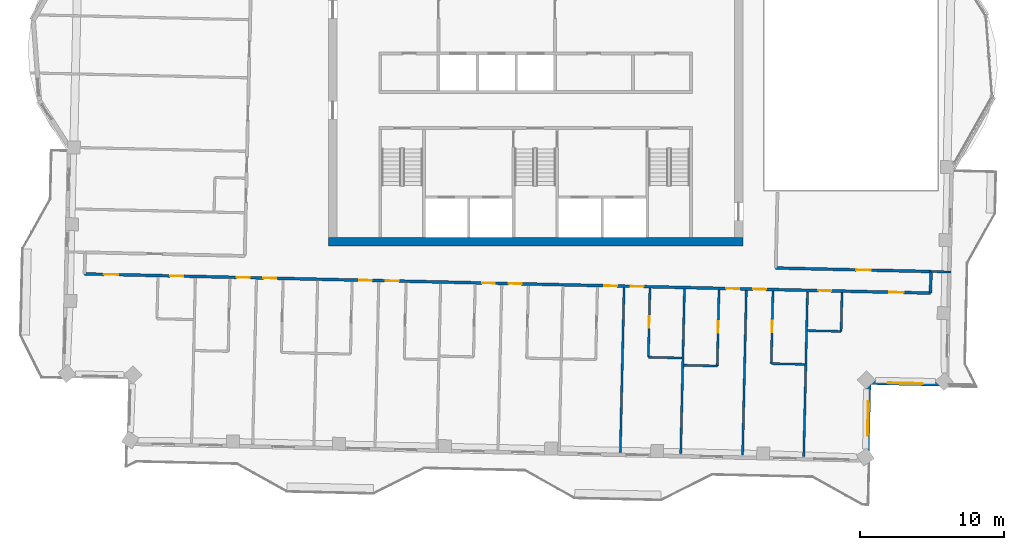
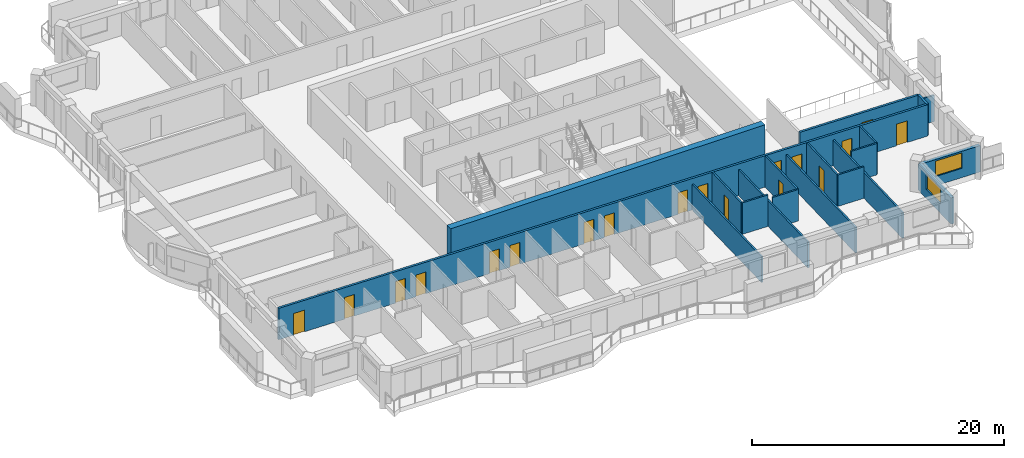
# One storey, part 6 of 15: 19 walls, 18 doors, 2 windows, 20 openings.
"""IFC4 building model written with IfcOpenShell, lengths in metres."""

from ifc_helpers import new_model, si_unit, direction, frame, frame_2d, origin, place, context, subcontext, project, spatial, rectangle, extrude, material, layer, layer_set, type_object, element, fill, save


model = new_model("IFC4")

# Units and contexts
model_context = context("Model", 3, precision=1e-05, world=origin(), true_north=direction((0.0, 1.0)))
body_context = subcontext(model_context, "Body", "Model", "MODEL_VIEW")
ifc_project = project(units=[si_unit("LENGTHUNIT", "METRE"), si_unit("AREAUNIT", "SQUARE_METRE"), si_unit("VOLUMEUNIT", "CUBIC_METRE"), si_unit("PLANEANGLEUNIT", "RADIAN"), si_unit("MASSUNIT", "GRAM", prefix="KILO")], contexts=[model_context])

# Site, building, storey
site_placement = place(None, origin())
site = spatial("IfcSite", under=ifc_project, at=site_placement, CompositionType="ELEMENT")
building_placement = place(site_placement, origin())
building = spatial("IfcBuilding", under=site, at=building_placement, Name="Mangrove Gate Tower", CompositionType="ELEMENT")
storey_placement = place(building_placement, frame((0.0, 0.0, 306.10009765625)))
storey = spatial("IfcBuildingStorey", under=building, at=storey_placement, Name="L78", CompositionType="ELEMENT", Elevation=306.10009765625)

# Wall
ifc_material_1 = material(Name="Concrete C50/60", Category="concrete")
ifc_layer_1 = layer(ifc_material_1, 0.60009765625)
ifc_layer_set_1 = layer_set([ifc_layer_1], Name="Core wall 600 C50/60")
wall_type_1 = type_object("IfcWallType", Name="Core wall 600 C50/60", PredefinedType="SHEAR", material=ifc_layer_set_1)
wall_1_placement = place(storey_placement, frame((-14.39990234375, -11.10009765625, 0.0), z_axis=(0.0, 0.0, 1.0), x_axis=(1.0, 0.0, 0.0)))
element("IfcWall", 1, at=wall_1_placement, inside=storey, type_object=wall_type_1, Name="WALL-L78-CORE-1", PredefinedType="SHEAR", context=body_context, shape_type="SweptSolid", body=[
    extrude(rectangle(XDim=28.7998046875, YDim=0.60009765625, at=frame_2d((14.39990234375, 0.0))), origin(), (0.0, 0.0, 1.0), 3.599853515625),
])

# Wall, openings, doors
ifc_material_2 = material(Name="Gypsum board on steel stud, EI 60", Category="steel")
ifc_layer_2 = layer(ifc_material_2, 0.199951171875)
ifc_layer_set_2 = layer_set([ifc_layer_2], Name="Corridor wall EI 60")
wall_type_2 = type_object("IfcWallType", Name="Corridor wall EI 60", PredefinedType="PARTITIONING", material=ifc_layer_set_2)
wall_2_placement = place(storey_placement, frame((-31.346923828125, -13.3291015625, 0.0), z_axis=(0.0, 0.0, 1.0), x_axis=(0.999742613079, -0.022687168058, 0.0)))
wall_2 = element("IfcWall", 2, at=wall_2_placement, inside=storey, type_object=wall_type_2, Name="WALL-L78-034", PredefinedType="PARTITIONING", context=body_context, shape_type="SweptSolid", body=[
    extrude(rectangle(XDim=58.799072265625, YDim=0.199951171875, at=frame_2d((29.3994140625, 0.0))), origin(), (0.0, 0.0, 1.0), 3.0498046875),
])
opening_1_placement = place(wall_2_placement, frame((1.35009765625, 0.0, 0.0)))
opening_1 = element("IfcOpeningElement", 3, at=opening_1_placement, cuts=wall_2, Name="Opening AD", PredefinedType="OPENING", context=body_context, shape_type="SweptSolid", body=[
    extrude(rectangle(XDim=1.0, YDim=2.10009765625, at=frame_2d((0.5, 1.050048828125))), frame((0.0, 0.10986328125, 0.0), z_axis=(0.0, -1.0, 0.0), x_axis=(1.0, 0.0, 0.0)), (0.0, 0.0, 1.0), 0.219970703125),
])
opening_2_placement = place(wall_2_placement, frame((5.949951171875, 0.0, 0.0)))
opening_2 = element("IfcOpeningElement", 4, at=opening_2_placement, cuts=wall_2, Name="Opening SD", PredefinedType="OPENING", context=body_context, shape_type="SweptSolid", body=[
    extrude(rectangle(XDim=0.89990234375, YDim=2.10009765625, at=frame_2d((0.449951171875, 1.050048828125))), frame((0.0, 0.10986328125, 0.0), z_axis=(0.0, -1.0, 0.0), x_axis=(1.0, 0.0, 0.0)), (0.0, 0.0, 1.0), 0.219970703125),
])
opening_3_placement = place(wall_2_placement, frame((10.574951171875, 0.0, 0.0)))
opening_3 = element("IfcOpeningElement", 5, at=opening_3_placement, cuts=wall_2, Name="Opening BD", PredefinedType="OPENING", context=body_context, shape_type="SweptSolid", body=[
    extrude(rectangle(XDim=0.89990234375, YDim=2.10009765625, at=frame_2d((0.449951171875, 1.050048828125))), frame((0.0, 0.10986328125, 0.0), z_axis=(0.0, -1.0, 0.0), x_axis=(1.0, 0.0, 0.0)), (0.0, 0.0, 1.0), 0.219970703125),
])
opening_4_placement = place(wall_2_placement, frame((12.425048828125, 0.0, 0.0)))
opening_4 = element("IfcOpeningElement", 6, at=opening_4_placement, cuts=wall_2, Name="Opening BD", PredefinedType="OPENING", context=body_context, shape_type="SweptSolid", body=[
    extrude(rectangle(XDim=0.89990234375, YDim=2.10009765625, at=frame_2d((0.449951171875, 1.050048828125))), frame((0.0, 0.10986328125, 0.0), z_axis=(0.0, -1.0, 0.0), x_axis=(1.0, 0.0, 0.0)), (0.0, 0.0, 1.0), 0.219970703125),
])
opening_5_placement = place(wall_2_placement, frame((19.074951171875, 0.0, 0.0)))
opening_5 = element("IfcOpeningElement", 7, at=opening_5_placement, cuts=wall_2, Name="Opening BD", PredefinedType="OPENING", context=body_context, shape_type="SweptSolid", body=[
    extrude(rectangle(XDim=0.89990234375, YDim=2.10009765625, at=frame_2d((0.449951171875, 1.050048828125))), frame((0.0, 0.10986328125, 0.0), z_axis=(0.0, -1.0, 0.0), x_axis=(1.0, 0.0, 0.0)), (0.0, 0.0, 1.0), 0.219970703125),
])
opening_6_placement = place(wall_2_placement, frame((20.949951171875, 0.0, 0.0)))
opening_6 = element("IfcOpeningElement", 8, at=opening_6_placement, cuts=wall_2, Name="Opening BD", PredefinedType="OPENING", context=body_context, shape_type="SweptSolid", body=[
    extrude(rectangle(XDim=0.89990234375, YDim=2.10009765625, at=frame_2d((0.449951171875, 1.050048828125))), frame((0.0, 0.10986328125, 0.0), z_axis=(0.0, -1.0, 0.0), x_axis=(1.0, 0.0, 0.0)), (0.0, 0.0, 1.0), 0.219970703125),
])
opening_7_placement = place(wall_2_placement, frame((27.625, 0.0, 0.0)))
opening_7 = element("IfcOpeningElement", 9, at=opening_7_placement, cuts=wall_2, Name="Opening BD", PredefinedType="OPENING", context=body_context, shape_type="SweptSolid", body=[
    extrude(rectangle(XDim=0.89990234375, YDim=2.10009765625, at=frame_2d((0.449951171875, 1.050048828125))), frame((0.0, 0.10986328125, 0.0), z_axis=(0.0, -1.0, 0.0), x_axis=(1.0, 0.0, 0.0)), (0.0, 0.0, 1.0), 0.219970703125),
])
opening_8_placement = place(wall_2_placement, frame((29.47509765625, 0.0, 0.0)))
opening_8 = element("IfcOpeningElement", 10, at=opening_8_placement, cuts=wall_2, Name="Opening BD", PredefinedType="OPENING", context=body_context, shape_type="SweptSolid", body=[
    extrude(rectangle(XDim=0.89990234375, YDim=2.10009765625, at=frame_2d((0.449951171875, 1.050048828125))), frame((0.0, 0.10986328125, 0.0), z_axis=(0.0, -1.0, 0.0), x_axis=(1.0, 0.0, 0.0)), (0.0, 0.0, 1.0), 0.219970703125),
])
opening_9_placement = place(wall_2_placement, frame((36.125, 0.0, 0.0)))
opening_9 = element("IfcOpeningElement", 11, at=opening_9_placement, cuts=wall_2, Name="Opening BD", PredefinedType="OPENING", context=body_context, shape_type="SweptSolid", body=[
    extrude(rectangle(XDim=0.89990234375, YDim=2.10009765625, at=frame_2d((0.449951171875, 1.050048828125))), frame((0.0, 0.10986328125, 0.0), z_axis=(0.0, -1.0, 0.0), x_axis=(1.0, 0.0, 0.0)), (0.0, 0.0, 1.0), 0.219970703125),
])
opening_10_placement = place(wall_2_placement, frame((37.949951171875, 0.0, 0.0)))
opening_10 = element("IfcOpeningElement", 12, at=opening_10_placement, cuts=wall_2, Name="Opening BD", PredefinedType="OPENING", context=body_context, shape_type="SweptSolid", body=[
    extrude(rectangle(XDim=0.89990234375, YDim=2.10009765625, at=frame_2d((0.449951171875, 1.050048828125))), frame((0.0, 0.10986328125, 0.0), z_axis=(0.0, -1.0, 0.0), x_axis=(1.0, 0.0, 0.0)), (0.0, 0.0, 1.0), 0.219970703125),
])
opening_11_placement = place(wall_2_placement, frame((44.60009765625, 0.0, 0.0)))
opening_11 = element("IfcOpeningElement", 13, at=opening_11_placement, cuts=wall_2, Name="Opening BD", PredefinedType="OPENING", context=body_context, shape_type="SweptSolid", body=[
    extrude(rectangle(XDim=0.89990234375, YDim=2.10009765625, at=frame_2d((0.449951171875, 1.050048828125))), frame((0.0, 0.10986328125, 0.0), z_axis=(0.0, -1.0, 0.0), x_axis=(1.0, 0.0, 0.0)), (0.0, 0.0, 1.0), 0.219970703125),
])
opening_12_placement = place(wall_2_placement, frame((46.47509765625, 0.0, 0.0)))
opening_12 = element("IfcOpeningElement", 14, at=opening_12_placement, cuts=wall_2, Name="Opening BD", PredefinedType="OPENING", context=body_context, shape_type="SweptSolid", body=[
    extrude(rectangle(XDim=0.89990234375, YDim=2.10009765625, at=frame_2d((0.449951171875, 1.050048828125))), frame((0.0, 0.10986328125, 0.0), z_axis=(0.0, -1.0, 0.0), x_axis=(1.0, 0.0, 0.0)), (0.0, 0.0, 1.0), 0.219970703125),
])
opening_13_placement = place(wall_2_placement, frame((55.925048828125, 0.0, 0.0)))
opening_13 = element("IfcOpeningElement", 15, at=opening_13_placement, cuts=wall_2, Name="Opening AD", PredefinedType="OPENING", context=body_context, shape_type="SweptSolid", body=[
    extrude(rectangle(XDim=1.0, YDim=2.10009765625, at=frame_2d((0.5, 1.050048828125))), frame((0.0, 0.10986328125, 0.0), z_axis=(0.0, -1.0, 0.0), x_axis=(1.0, 0.0, 0.0)), (0.0, 0.0, 1.0), 0.219970703125),
])
opening_14_placement = place(wall_2_placement, frame((51.0, 0.0, 0.0)))
opening_14 = element("IfcOpeningElement", 16, at=opening_14_placement, cuts=wall_2, Name="Opening SD", PredefinedType="OPENING", context=body_context, shape_type="SweptSolid", body=[
    extrude(rectangle(XDim=0.89990234375, YDim=2.10009765625, at=frame_2d((0.449951171875, 1.050048828125))), frame((0.0, 0.10986328125, 0.0), z_axis=(0.0, -1.0, 0.0), x_axis=(1.0, 0.0, 0.0)), (0.0, 0.0, 1.0), 0.219970703125),
])
ifc_material_3 = material(Name="Timber door leaf", Category="wood")
door_type_1 = type_object("IfcDoorType", Name="Amenity door 1000", OperationType="SINGLE_SWING_LEFT", PredefinedType="DOOR", material=ifc_material_3)
door_1_placement = place(opening_1_placement, origin())
door_1 = element("IfcDoor", 17, at=door_1_placement, inside=storey, type_object=door_type_1, Name="DOOR-L78-LNG-c1a", OperationType="SINGLE_SWING_LEFT", OverallHeight=2.10009765625, OverallWidth=1.0, PredefinedType="DOOR", context=body_context, shape_type="SweptSolid", body=[
    extrude(rectangle(XDim=1.0, YDim=2.10009765625, at=frame_2d((0.5, 1.050048828125))), frame((0.0, 0.02490234375, 0.0), z_axis=(0.0, -1.0, 0.0), x_axis=(1.0, 0.0, 0.0)), (0.0, 0.0, 1.0), 0.050048828125),
])
fill(opening_1, door_1)
door_2_placement = place(opening_13_placement, origin())
door_2 = element("IfcDoor", 18, at=door_2_placement, inside=storey, type_object=door_type_1, Name="DOOR-L78-LNG-c3a", OperationType="SINGLE_SWING_RIGHT", OverallHeight=2.10009765625, OverallWidth=1.0, PredefinedType="DOOR", context=body_context, shape_type="SweptSolid", body=[
    extrude(rectangle(XDim=1.0, YDim=2.10009765625, at=frame_2d((0.5, 1.050048828125))), frame((0.0, 0.02490234375, 0.0), z_axis=(0.0, -1.0, 0.0), x_axis=(1.0, 0.0, 0.0)), (0.0, 0.0, 1.0), 0.050048828125),
])
fill(opening_13, door_2)
ifc_material_4 = material(Name="Timber door leaf", Category="wood")
door_type_2 = type_object("IfcDoorType", Name="Bedroom door 900", OperationType="SINGLE_SWING_LEFT", PredefinedType="DOOR", material=ifc_material_4)
door_3_placement = place(opening_3_placement, origin())
door_3 = element("IfcDoor", 19, at=door_3_placement, inside=storey, type_object=door_type_2, Name="DOOR-L78-BED-c101", OperationType="SINGLE_SWING_LEFT", OverallHeight=2.10009765625, OverallWidth=0.89990234375, PredefinedType="DOOR", context=body_context, shape_type="SweptSolid", body=[
    extrude(rectangle(XDim=0.89990234375, YDim=2.10009765625, at=frame_2d((0.449951171875, 1.050048828125))), frame((0.0, 0.02490234375, 0.0), z_axis=(0.0, -1.0, 0.0), x_axis=(1.0, 0.0, 0.0)), (0.0, 0.0, 1.0), 0.050048828125),
])
fill(opening_3, door_3)
door_4_placement = place(opening_4_placement, origin())
door_4 = element("IfcDoor", 20, at=door_4_placement, inside=storey, type_object=door_type_2, Name="DOOR-L78-BED-c102", OperationType="SINGLE_SWING_RIGHT", OverallHeight=2.10009765625, OverallWidth=0.89990234375, PredefinedType="DOOR", context=body_context, shape_type="SweptSolid", body=[
    extrude(rectangle(XDim=0.89990234375, YDim=2.10009765625, at=frame_2d((0.449951171875, 1.050048828125))), frame((0.0, 0.02490234375, 0.0), z_axis=(0.0, -1.0, 0.0), x_axis=(1.0, 0.0, 0.0)), (0.0, 0.0, 1.0), 0.050048828125),
])
fill(opening_4, door_4)
door_5_placement = place(opening_5_placement, origin())
door_5 = element("IfcDoor", 21, at=door_5_placement, inside=storey, type_object=door_type_2, Name="DOOR-L78-BED-c103", OperationType="SINGLE_SWING_LEFT", OverallHeight=2.10009765625, OverallWidth=0.89990234375, PredefinedType="DOOR", context=body_context, shape_type="SweptSolid", body=[
    extrude(rectangle(XDim=0.89990234375, YDim=2.10009765625, at=frame_2d((0.449951171875, 1.050048828125))), frame((0.0, 0.02490234375, 0.0), z_axis=(0.0, -1.0, 0.0), x_axis=(1.0, 0.0, 0.0)), (0.0, 0.0, 1.0), 0.050048828125),
])
fill(opening_5, door_5)
door_6_placement = place(opening_6_placement, origin())
door_6 = element("IfcDoor", 22, at=door_6_placement, inside=storey, type_object=door_type_2, Name="DOOR-L78-BED-c104", OperationType="SINGLE_SWING_RIGHT", OverallHeight=2.10009765625, OverallWidth=0.89990234375, PredefinedType="DOOR", context=body_context, shape_type="SweptSolid", body=[
    extrude(rectangle(XDim=0.89990234375, YDim=2.10009765625, at=frame_2d((0.449951171875, 1.050048828125))), frame((0.0, 0.02490234375, 0.0), z_axis=(0.0, -1.0, 0.0), x_axis=(1.0, 0.0, 0.0)), (0.0, 0.0, 1.0), 0.050048828125),
])
fill(opening_6, door_6)
door_7_placement = place(opening_7_placement, origin())
door_7 = element("IfcDoor", 23, at=door_7_placement, inside=storey, type_object=door_type_2, Name="DOOR-L78-BED-c205", OperationType="SINGLE_SWING_LEFT", OverallHeight=2.10009765625, OverallWidth=0.89990234375, PredefinedType="DOOR", context=body_context, shape_type="SweptSolid", body=[
    extrude(rectangle(XDim=0.89990234375, YDim=2.10009765625, at=frame_2d((0.449951171875, 1.050048828125))), frame((0.0, 0.02490234375, 0.0), z_axis=(0.0, -1.0, 0.0), x_axis=(1.0, 0.0, 0.0)), (0.0, 0.0, 1.0), 0.050048828125),
])
fill(opening_7, door_7)
door_8_placement = place(opening_8_placement, origin())
door_8 = element("IfcDoor", 24, at=door_8_placement, inside=storey, type_object=door_type_2, Name="DOOR-L78-BED-c206", OperationType="SINGLE_SWING_RIGHT", OverallHeight=2.10009765625, OverallWidth=0.89990234375, PredefinedType="DOOR", context=body_context, shape_type="SweptSolid", body=[
    extrude(rectangle(XDim=0.89990234375, YDim=2.10009765625, at=frame_2d((0.449951171875, 1.050048828125))), frame((0.0, 0.02490234375, 0.0), z_axis=(0.0, -1.0, 0.0), x_axis=(1.0, 0.0, 0.0)), (0.0, 0.0, 1.0), 0.050048828125),
])
fill(opening_8, door_8)
door_9_placement = place(opening_9_placement, origin())
door_9 = element("IfcDoor", 25, at=door_9_placement, inside=storey, type_object=door_type_2, Name="DOOR-L78-BED-c207", OperationType="SINGLE_SWING_LEFT", OverallHeight=2.10009765625, OverallWidth=0.89990234375, PredefinedType="DOOR", context=body_context, shape_type="SweptSolid", body=[
    extrude(rectangle(XDim=0.89990234375, YDim=2.10009765625, at=frame_2d((0.449951171875, 1.050048828125))), frame((0.0, 0.02490234375, 0.0), z_axis=(0.0, -1.0, 0.0), x_axis=(1.0, 0.0, 0.0)), (0.0, 0.0, 1.0), 0.050048828125),
])
fill(opening_9, door_9)
door_10_placement = place(opening_10_placement, origin())
door_10 = element("IfcDoor", 26, at=door_10_placement, inside=storey, type_object=door_type_2, Name="DOOR-L78-BED-c208", OperationType="SINGLE_SWING_RIGHT", OverallHeight=2.10009765625, OverallWidth=0.89990234375, PredefinedType="DOOR", context=body_context, shape_type="SweptSolid", body=[
    extrude(rectangle(XDim=0.89990234375, YDim=2.10009765625, at=frame_2d((0.449951171875, 1.050048828125))), frame((0.0, 0.02490234375, 0.0), z_axis=(0.0, -1.0, 0.0), x_axis=(1.0, 0.0, 0.0)), (0.0, 0.0, 1.0), 0.050048828125),
])
fill(opening_10, door_10)
door_11_placement = place(opening_11_placement, origin())
door_11 = element("IfcDoor", 27, at=door_11_placement, inside=storey, type_object=door_type_2, Name="DOOR-L78-BED-c309", OperationType="SINGLE_SWING_LEFT", OverallHeight=2.10009765625, OverallWidth=0.89990234375, PredefinedType="DOOR", context=body_context, shape_type="SweptSolid", body=[
    extrude(rectangle(XDim=0.89990234375, YDim=2.10009765625, at=frame_2d((0.449951171875, 1.050048828125))), frame((0.0, 0.02490234375, 0.0), z_axis=(0.0, -1.0, 0.0), x_axis=(1.0, 0.0, 0.0)), (0.0, 0.0, 1.0), 0.050048828125),
])
fill(opening_11, door_11)
door_12_placement = place(opening_12_placement, origin())
door_12 = element("IfcDoor", 28, at=door_12_placement, inside=storey, type_object=door_type_2, Name="DOOR-L78-BED-c310", OperationType="SINGLE_SWING_RIGHT", OverallHeight=2.10009765625, OverallWidth=0.89990234375, PredefinedType="DOOR", context=body_context, shape_type="SweptSolid", body=[
    extrude(rectangle(XDim=0.89990234375, YDim=2.10009765625, at=frame_2d((0.449951171875, 1.050048828125))), frame((0.0, 0.02490234375, 0.0), z_axis=(0.0, -1.0, 0.0), x_axis=(1.0, 0.0, 0.0)), (0.0, 0.0, 1.0), 0.050048828125),
])
fill(opening_12, door_12)
ifc_material_5 = material(Name="Timber door leaf", Category="wood")
door_type_3 = type_object("IfcDoorType", Name="Service room door 900", OperationType="SINGLE_SWING_LEFT", PredefinedType="DOOR", material=ifc_material_5)
door_13_placement = place(opening_2_placement, origin())
door_13 = element("IfcDoor", 29, at=door_13_placement, inside=storey, type_object=door_type_3, Name="DOOR-L78-AWC-c1a", OperationType="SINGLE_SWING_LEFT", OverallHeight=2.10009765625, OverallWidth=0.89990234375, PredefinedType="DOOR", context=body_context, shape_type="SweptSolid", body=[
    extrude(rectangle(XDim=0.89990234375, YDim=2.10009765625, at=frame_2d((0.449951171875, 1.050048828125))), frame((0.0, 0.02490234375, 0.0), z_axis=(0.0, -1.0, 0.0), x_axis=(1.0, 0.0, 0.0)), (0.0, 0.0, 1.0), 0.050048828125),
])
fill(opening_2, door_13)
door_14_placement = place(opening_14_placement, origin())
door_14 = element("IfcDoor", 30, at=door_14_placement, inside=storey, type_object=door_type_3, Name="DOOR-L78-WC-c3a", OperationType="SINGLE_SWING_RIGHT", OverallHeight=2.10009765625, OverallWidth=0.89990234375, PredefinedType="DOOR", context=body_context, shape_type="SweptSolid", body=[
    extrude(rectangle(XDim=0.89990234375, YDim=2.10009765625, at=frame_2d((0.449951171875, 1.050048828125))), frame((0.0, 0.02490234375, 0.0), z_axis=(0.0, -1.0, 0.0), x_axis=(1.0, 0.0, 0.0)), (0.0, 0.0, 1.0), 0.050048828125),
])
fill(opening_14, door_14)

# Wall
wall_3_placement = place(storey_placement, frame((27.43701171875, -14.6630859375, 0.0), z_axis=(0.0, 0.0, 1.0), x_axis=(0.022617910375, 0.999744182344, 0.0)))
element("IfcWall", 31, at=wall_3_placement, inside=storey, type_object=wall_type_2, Name="WALL-L78-036", PredefinedType="PARTITIONING", context=body_context, shape_type="SweptSolid", body=[
    extrude(rectangle(XDim=1.50048828125, YDim=0.199951171875, at=frame_2d((0.750244140625, 0.0))), origin(), (0.0, 0.0, 1.0), 3.0498046875),
])

# Wall, opening, door
wall_4_placement = place(storey_placement, frame((16.678955078125, -12.91796875, 0.0), z_axis=(0.0, 0.0, 1.0), x_axis=(0.999742162372, -0.022707020428, 0.0)))
wall_4 = element("IfcWall", 32, at=wall_4_placement, inside=storey, type_object=wall_type_2, Name="WALL-L78-040", PredefinedType="PARTITIONING", context=body_context, shape_type="SweptSolid", body=[
    extrude(rectangle(XDim=10.794677734375, YDim=0.199951171875, at=frame_2d((5.3974609375, 0.0))), origin(), (0.0, 0.0, 1.0), 3.0498046875),
])
opening_15_placement = place(wall_4_placement, frame((5.597900390625, 0.0, 0.0)))
opening_15 = element("IfcOpeningElement", 33, at=opening_15_placement, cuts=wall_4, Name="Opening AD", PredefinedType="OPENING", context=body_context, shape_type="SweptSolid", body=[
    extrude(rectangle(XDim=1.0, YDim=2.10009765625, at=frame_2d((0.5, 1.050048828125))), frame((0.0, 0.10986328125, 0.0), z_axis=(0.0, -1.0, 0.0), x_axis=(1.0, 0.0, 0.0)), (0.0, 0.0, 1.0), 0.219970703125),
])
door_15_placement = place(opening_15_placement, origin())
door_15 = element("IfcDoor", 34, at=door_15_placement, inside=storey, type_object=door_type_1, Name="DOOR-L78-LNG-c3b", OperationType="SINGLE_SWING_LEFT", OverallHeight=2.10009765625, OverallWidth=1.0, PredefinedType="DOOR", context=body_context, shape_type="SweptSolid", body=[
    extrude(rectangle(XDim=1.0, YDim=2.10009765625, at=frame_2d((0.5, 1.050048828125))), frame((0.0, 0.02490234375, 0.0), z_axis=(0.0, -1.0, 0.0), x_axis=(1.0, 0.0, 0.0)), (0.0, 0.0, 1.0), 0.050048828125),
])
fill(opening_15, door_15)

# Wall, opening, window
ifc_material_6 = material(Name="Limestone", Category="masonry")
ifc_layer_3 = layer(ifc_material_6, 0.0400390625, Name="Limestone cladding")
ifc_material_7 = material(Name="Ventilated air gap")
ifc_layer_4 = layer(ifc_material_7, 0.0400390625, Name="Ventilated cavity")
ifc_material_8 = material(Name="Mineral wool insulation")
ifc_layer_5 = layer(ifc_material_8, 0.06005859375, Name="Insulation")
ifc_material_9 = material(Name="Breather membrane")
ifc_layer_6 = layer(ifc_material_9, 0.001953125, Name="Breather membrane")
ifc_material_10 = material(Name="Concrete C20/25 blockwork", Category="masonry")
ifc_layer_7 = layer(ifc_material_10, 0.14990234375, Name="Blockwork backing wall")
ifc_material_11 = material(Name="Gypsum plaster")
ifc_layer_8 = layer(ifc_material_11, 0.008056640625, Name="Internal plaster")
ifc_layer_set_3 = layer_set([ifc_layer_3, ifc_layer_4, ifc_layer_5, ifc_layer_6, ifc_layer_7, ifc_layer_8], Name="External wall 300 limestone cladding")
wall_type_3 = type_object("IfcWallType", Name="External wall 300 limestone cladding", PredefinedType="SOLIDWALL", material=ifc_layer_set_3)
wall_5_placement = place(storey_placement, frame((23.02294921875, -26.26611328125, 0.0), z_axis=(0.0, 0.0, 1.0), x_axis=(0.022784045517, 0.999740409941, 0.0)))
wall_5 = element("IfcWall", 35, at=wall_5_placement, inside=storey, type_object=wall_type_3, Name="WALL-L78-E14", PredefinedType="SOLIDWALL", context=body_context, shape_type="SweptSolid", body=[
    extrude(rectangle(XDim=5.400634765625, YDim=0.300048828125, at=frame_2d((2.7001953125, 0.0))), origin(), (0.0, 0.0, 1.0), 2.5498046875),
])
opening_16_placement = place(wall_5_placement, frame((1.68701171875, 0.0, 0.89990234375)))
opening_16 = element("IfcOpeningElement", 36, at=opening_16_placement, cuts=wall_5, Name="Opening W2", PredefinedType="OPENING", context=body_context, shape_type="SweptSolid", body=[
    extrude(rectangle(XDim=2.39990234375, YDim=1.5, at=frame_2d((1.199951171875, 0.75))), frame((0.0, 0.159912109375, 0.0), z_axis=(0.0, -1.0, 0.0), x_axis=(1.0, 0.0, 0.0)), (0.0, 0.0, 1.0), 0.320068359375),
])
ifc_material_12 = material(Name="Aluminium frame with double-glazed low-e glass", Category="aluminium")
window_type = type_object("IfcWindowType", Name="Corner room window 2400x1500", PartitioningType="DOUBLE_PANEL_VERTICAL", PredefinedType="WINDOW", material=ifc_material_12)
window_1_placement = place(opening_16_placement, origin())
window_1 = element("IfcWindow", 37, at=window_1_placement, inside=storey, type_object=window_type, Name="WIN-L78-E14-1", OverallHeight=1.5, OverallWidth=2.39990234375, PartitioningType="DOUBLE_PANEL_VERTICAL", PredefinedType="WINDOW", context=body_context, shape_type="SweptSolid", body=[
    extrude(rectangle(XDim=2.39990234375, YDim=1.5, at=frame_2d((1.199951171875, 0.75))), frame((0.0, 0.030029296875, 0.0), z_axis=(0.0, -1.0, 0.0), x_axis=(1.0, 0.0, 0.0)), (0.0, 0.0, 1.0), 0.06005859375),
])
fill(opening_16, window_1)

wall_6_placement = place(storey_placement, frame((23.14599609375, -20.866943359375, 0.0), z_axis=(0.0, 0.0, 1.0), x_axis=(0.999740292565, -0.022789195272, 0.0)))
wall_6 = element("IfcWall", 38, at=wall_6_placement, inside=storey, type_object=wall_type_3, Name="WALL-L78-S15", PredefinedType="SOLIDWALL", context=body_context, shape_type="SweptSolid", body=[
    extrude(rectangle(XDim=5.3994140625, YDim=0.300048828125, at=frame_2d((2.69970703125, 0.0))), origin(), (0.0, 0.0, 1.0), 2.5498046875),
])
opening_17_placement = place(wall_6_placement, frame((1.3369140625, 0.0, 0.89990234375)))
opening_17 = element("IfcOpeningElement", 39, at=opening_17_placement, cuts=wall_6, Name="Opening W2", PredefinedType="OPENING", context=body_context, shape_type="SweptSolid", body=[
    extrude(rectangle(XDim=2.39990234375, YDim=1.5, at=frame_2d((1.199951171875, 0.75))), frame((0.0, 0.159912109375, 0.0), z_axis=(0.0, -1.0, 0.0), x_axis=(1.0, 0.0, 0.0)), (0.0, 0.0, 1.0), 0.320068359375),
])
window_2_placement = place(opening_17_placement, origin())
window_2 = element("IfcWindow", 40, at=window_2_placement, inside=storey, type_object=window_type, Name="WIN-L78-S15-1", OverallHeight=1.5, OverallWidth=2.39990234375, PartitioningType="DOUBLE_PANEL_VERTICAL", PredefinedType="WINDOW", context=body_context, shape_type="SweptSolid", body=[
    extrude(rectangle(XDim=2.39990234375, YDim=1.5, at=frame_2d((1.199951171875, 0.75))), frame((0.0, 0.030029296875, 0.0), z_axis=(0.0, -1.0, 0.0), x_axis=(1.0, 0.0, 0.0)), (0.0, 0.0, 1.0), 0.06005859375),
])
fill(opening_17, window_2)

# Walls
ifc_material_13 = material(Name="Gypsum board on steel stud, EI 60", Category="steel")
ifc_layer_9 = layer(ifc_material_13, 0.14990234375)
ifc_layer_set_4 = layer_set([ifc_layer_9], Name="Party wall 150 EI 60")
wall_type_4 = type_object("IfcWallType", Name="Party wall 150 EI 60", PredefinedType="PARTITIONING", material=ifc_layer_set_4)
for number, where, z_axis, x_axis, name in (
    (41, (5.881103515625, -25.72705078125, 0.0), (0.0, 0.0, 1.0), (0.022708327922, 0.999742132674, 0.0), "WALL-L78-008"),
    (42, (10.080078125, -25.822021484375, 0.0), (0.0, 0.0, 1.0), (0.022708327922, 0.999742132674, 0.0), "WALL-L78-009"),
    (43, (14.37890625, -25.919921875, 0.0), (0.0, 0.0, 1.0), (0.022623082162, 0.999744065325, 0.0), "WALL-L78-010"),
    (44, (18.6279296875, -26.01611328125, 0.0), (0.0, 0.0, 1.0), (0.022623082162, 0.999744065325, 0.0), "WALL-L78-011"),
):
    element("IfcWall", number, at=place(storey_placement, frame(where, z_axis=z_axis, x_axis=x_axis)), inside=storey, type_object=wall_type_4, Name=name, PredefinedType="PARTITIONING", context=body_context, shape_type="SweptSolid", body=[
        extrude(rectangle(XDim=11.449951171875, YDim=0.14990234375, at=frame_2d((5.72509765625, 0.0))), origin(), (0.0, 0.0, 1.0), 2.5),
    ])
wall_7_placement = place(storey_placement, frame((10.2939453125, -19.675048828125, 0.0), z_axis=(0.0, 0.0, 1.0), x_axis=(0.999740478815, -0.022781023197, 0.0)))
element("IfcWall", 45, at=wall_7_placement, inside=storey, type_object=wall_type_4, Name="WALL-L78-014", PredefinedType="PARTITIONING", context=body_context, shape_type="SweptSolid", body=[
    extrude(rectangle(XDim=2.325439453125, YDim=0.14990234375, at=frame_2d((1.16259765625, 0.0))), origin(), (0.0, 0.0, 1.0), 3.0498046875),
])

# Wall, opening, door
wall_8_placement = place(storey_placement, frame((12.618896484375, -19.72802734375, 0.0), z_axis=(0.0, 0.0, 1.0), x_axis=(0.022661766832, 0.999743189186, 0.0)))
wall_8 = element("IfcWall", 46, at=wall_8_placement, inside=storey, type_object=wall_type_4, Name="WALL-L78-015", PredefinedType="PARTITIONING", context=body_context, shape_type="SweptSolid", body=[
    extrude(rectangle(XDim=5.300537109375, YDim=0.14990234375, at=frame_2d((2.650390625, 0.0))), origin(), (0.0, 0.0, 1.0), 3.0498046875),
])
opening_18_placement = place(wall_8_placement, frame((2.300048828125, 0.0, 0.0)))
opening_18 = element("IfcOpeningElement", 47, at=opening_18_placement, cuts=wall_8, Name="Opening ED", PredefinedType="OPENING", context=body_context, shape_type="SweptSolid", body=[
    extrude(rectangle(XDim=0.800048828125, YDim=2.10009765625, at=frame_2d((0.39990234375, 1.050048828125))), frame((0.0, 0.0849609375, 0.0), z_axis=(0.0, -1.0, 0.0), x_axis=(1.0, 0.0, 0.0)), (0.0, 0.0, 1.0), 0.169921875),
])
ifc_material_14 = material(Name="Timber door leaf", Category="wood")
door_type_4 = type_object("IfcDoorType", Name="En-suite door 800", OperationType="SINGLE_SWING_LEFT", PredefinedType="DOOR", material=ifc_material_14)
door_16_placement = place(opening_18_placement, origin())
door_16 = element("IfcDoor", 48, at=door_16_placement, inside=storey, type_object=door_type_4, Name="DOOR-L78-ENS-c309", OperationType="SINGLE_SWING_LEFT", OverallHeight=2.10009765625, OverallWidth=0.800048828125, PredefinedType="DOOR", context=body_context, shape_type="SweptSolid", body=[
    extrude(rectangle(XDim=0.800048828125, YDim=2.10009765625, at=frame_2d((0.39990234375, 1.050048828125))), frame((0.0, 0.02490234375, 0.0), z_axis=(0.0, -1.0, 0.0), x_axis=(1.0, 0.0, 0.0)), (0.0, 0.0, 1.0), 0.050048828125),
])
fill(opening_18, door_16)

# Wall
wall_9_placement = place(storey_placement, frame((16.373046875, -19.56298828125, 0.0), z_axis=(0.0, 0.0, 1.0), x_axis=(0.999740478815, -0.022781023197, 0.0)))
element("IfcWall", 49, at=wall_9_placement, inside=storey, type_object=wall_type_4, Name="WALL-L78-026", PredefinedType="PARTITIONING", context=body_context, shape_type="SweptSolid", body=[
    extrude(rectangle(XDim=2.325439453125, YDim=0.14990234375, at=frame_2d((1.16259765625, 0.0))), origin(), (0.0, 0.0, 1.0), 3.0498046875),
])

# Wall, opening, door
wall_10_placement = place(storey_placement, frame((16.373046875, -19.56298828125, 0.0), z_axis=(0.0, 0.0, 1.0), x_axis=(0.022773025649, 0.999740661023, 0.0)))
wall_10 = element("IfcWall", 50, at=wall_10_placement, inside=storey, type_object=wall_type_4, Name="WALL-L78-027", PredefinedType="PARTITIONING", context=body_context, shape_type="SweptSolid", body=[
    extrude(rectangle(XDim=5.04931640625, YDim=0.14990234375, at=frame_2d((2.524658203125, 0.0))), origin(), (0.0, 0.0, 1.0), 3.0498046875),
])
opening_19_placement = place(wall_10_placement, frame((2.175048828125, 0.0, 0.0)))
opening_19 = element("IfcOpeningElement", 51, at=opening_19_placement, cuts=wall_10, Name="Opening ED", PredefinedType="OPENING", context=body_context, shape_type="SweptSolid", body=[
    extrude(rectangle(XDim=0.800048828125, YDim=2.10009765625, at=frame_2d((0.39990234375, 1.050048828125))), frame((0.0, 0.0849609375, 0.0), z_axis=(0.0, -1.0, 0.0), x_axis=(1.0, 0.0, 0.0)), (0.0, 0.0, 1.0), 0.169921875),
])
door_17_placement = place(opening_19_placement, origin())
door_17 = element("IfcDoor", 52, at=door_17_placement, inside=storey, type_object=door_type_4, Name="DOOR-L78-ENS-c310", OperationType="SINGLE_SWING_RIGHT", OverallHeight=2.10009765625, OverallWidth=0.800048828125, PredefinedType="DOOR", context=body_context, shape_type="SweptSolid", body=[
    extrude(rectangle(XDim=0.800048828125, YDim=2.10009765625, at=frame_2d((0.39990234375, 1.050048828125))), frame((0.0, 0.02490234375, 0.0), z_axis=(0.0, -1.0, 0.0), x_axis=(1.0, 0.0, 0.0)), (0.0, 0.0, 1.0), 0.050048828125),
])
fill(opening_19, door_17)

# Wall
wall_11_placement = place(storey_placement, frame((7.8310546875, -19.118896484375, 0.0), z_axis=(0.0, 0.0, 1.0), x_axis=(0.999738082346, -0.022885950011, 0.0)))
element("IfcWall", 53, at=wall_11_placement, inside=storey, type_object=wall_type_4, Name="WALL-L78-028", PredefinedType="PARTITIONING", context=body_context, shape_type="SweptSolid", body=[
    extrude(rectangle(XDim=2.325439453125, YDim=0.14990234375, at=frame_2d((1.16259765625, 0.0))), origin(), (0.0, 0.0, 1.0), 3.0498046875),
])

# Wall, opening, door
wall_12_placement = place(storey_placement, frame((7.8310546875, -19.118896484375, 0.0), z_axis=(0.0, 0.0, 1.0), x_axis=(0.022689048768, 0.999742570398, 0.0)))
wall_12 = element("IfcWall", 54, at=wall_12_placement, inside=storey, type_object=wall_type_4, Name="WALL-L78-029", PredefinedType="PARTITIONING", context=body_context, shape_type="SweptSolid", body=[
    extrude(rectangle(XDim=4.799072265625, YDim=0.14990234375, at=frame_2d((2.3994140625, 0.0))), origin(), (0.0, 0.0, 1.0), 3.0498046875),
])
opening_20_placement = place(wall_12_placement, frame((2.050048828125, 0.0, 0.0)))
opening_20 = element("IfcOpeningElement", 55, at=opening_20_placement, cuts=wall_12, Name="Opening ED", PredefinedType="OPENING", context=body_context, shape_type="SweptSolid", body=[
    extrude(rectangle(XDim=0.800048828125, YDim=2.10009765625, at=frame_2d((0.39990234375, 1.050048828125))), frame((0.0, 0.0849609375, 0.0), z_axis=(0.0, -1.0, 0.0), x_axis=(1.0, 0.0, 0.0)), (0.0, 0.0, 1.0), 0.169921875),
])
door_18_placement = place(opening_20_placement, origin())
door_18 = element("IfcDoor", 56, at=door_18_placement, inside=storey, type_object=door_type_4, Name="DOOR-L78-ENS-c208", OperationType="SINGLE_SWING_RIGHT", OverallHeight=2.10009765625, OverallWidth=0.800048828125, PredefinedType="DOOR", context=body_context, shape_type="SweptSolid", body=[
    extrude(rectangle(XDim=0.800048828125, YDim=2.10009765625, at=frame_2d((0.39990234375, 1.050048828125))), frame((0.0, 0.02490234375, 0.0), z_axis=(0.0, -1.0, 0.0), x_axis=(1.0, 0.0, 0.0)), (0.0, 0.0, 1.0), 0.050048828125),
])
fill(opening_20, door_18)

# Walls
wall_13_placement = place(storey_placement, frame((18.90087890625, -17.27001953125, 0.0), z_axis=(0.0, 0.0, 1.0), x_axis=(0.99974031529, -0.022788198363, 0.0)))
element("IfcWall", 57, at=wall_13_placement, inside=storey, type_object=wall_type_4, Name="WALL-L78-032", PredefinedType="PARTITIONING", context=body_context, shape_type="SweptSolid", body=[
    extrude(rectangle(XDim=2.32470703125, YDim=0.14990234375, at=frame_2d((1.162353515625, 0.0))), origin(), (0.0, 0.0, 1.0), 3.0498046875),
])
wall_14_placement = place(storey_placement, frame((21.22509765625, -17.322998046875, 0.0), z_axis=(0.0, 0.0, 1.0), x_axis=(0.022961663075, 0.999736346258, 0.0)))
element("IfcWall", 58, at=wall_14_placement, inside=storey, type_object=wall_type_4, Name="WALL-L78-033", PredefinedType="PARTITIONING", context=body_context, shape_type="SweptSolid", body=[
    extrude(rectangle(XDim=2.70068359375, YDim=0.14990234375, at=frame_2d((1.350341796875, 0.0))), origin(), (0.0, 0.0, 1.0), 3.0498046875),
])
wall_15_placement = place(storey_placement, frame((27.467041015625, -13.1630859375, 0.0), z_axis=(0.0, 0.0, 1.0), x_axis=(0.999740667531, -0.022772739949, 0.0)))
element("IfcWall", 59, at=wall_15_placement, inside=storey, type_object=wall_type_4, Name="WALL-L78-042", PredefinedType="PARTITIONING", context=body_context, shape_type="SweptSolid", body=[
    extrude(rectangle(XDim=1.404296875, YDim=0.14990234375, at=frame_2d((0.7021484375, 0.0))), origin(), (0.0, 0.0, 1.0), 2.5498046875),
])

save(model, "model.ifc")
